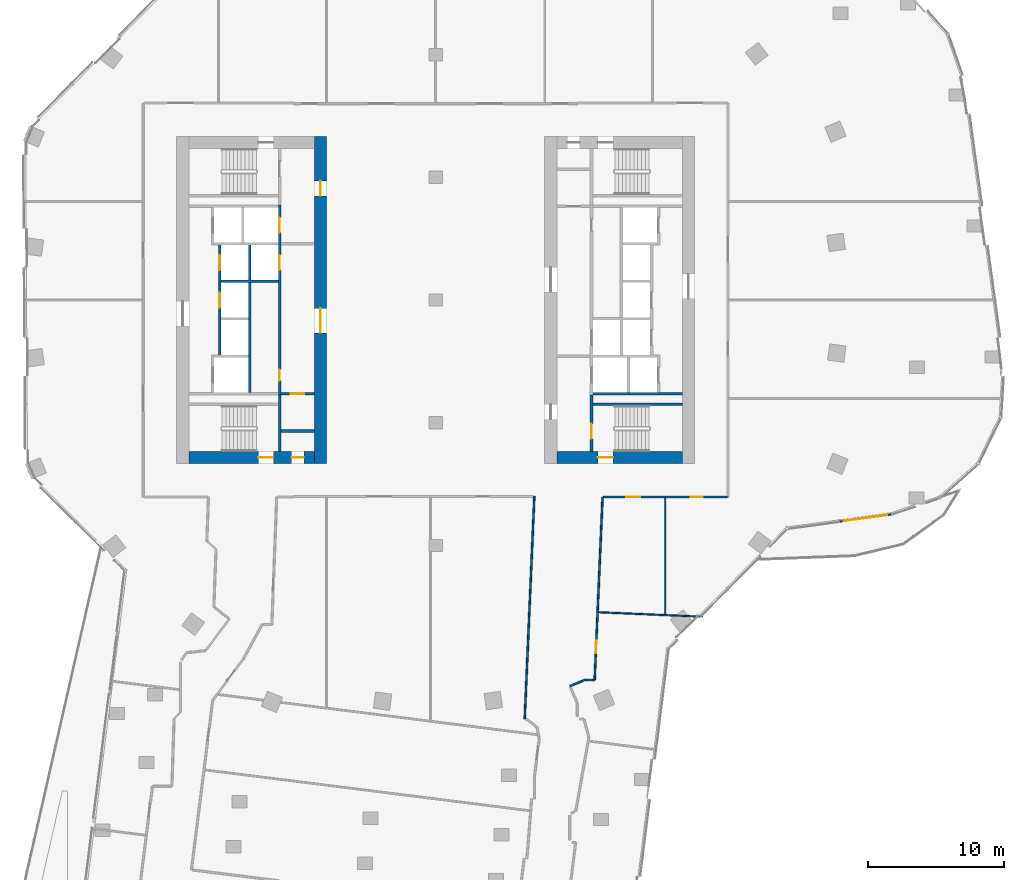
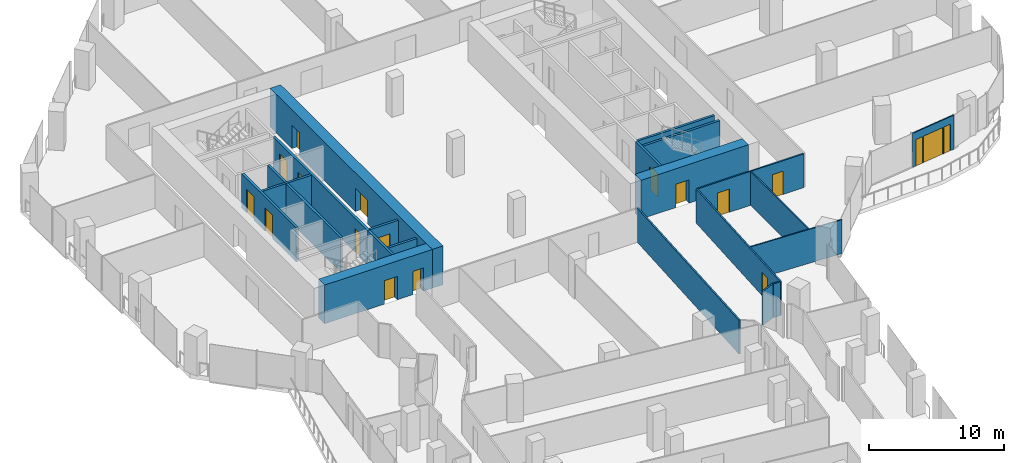
# One storey, part 21 of 29: 22 walls, 16 doors, 2 windows, 18 openings.
"""IFC4 building model written with IfcOpenShell, lengths in metres."""

from ifc_helpers import new_model, si_unit, direction, frame, frame_2d, origin, place, context, subcontext, project, spatial, rectangle, extrude, material, layer, layer_set, type_object, element, fill, save


model = new_model("IFC4")

# Units and contexts
model_context = context("Model", 3, precision=1e-05, world=origin(), true_north=direction((0.0, 1.0)))
body_context = subcontext(model_context, "Body", "Model", "MODEL_VIEW")
ifc_project = project(units=[si_unit("LENGTHUNIT", "METRE"), si_unit("AREAUNIT", "SQUARE_METRE"), si_unit("VOLUMEUNIT", "CUBIC_METRE"), si_unit("PLANEANGLEUNIT", "RADIAN"), si_unit("MASSUNIT", "GRAM", prefix="KILO")], contexts=[model_context])

# Site, building, storey
site_placement = place(None, origin())
site = spatial("IfcSite", under=ifc_project, at=site_placement, CompositionType="ELEMENT")
building_placement = place(site_placement, origin())
building = spatial("IfcBuilding", under=site, at=building_placement, Name="Orlundy Tower", CompositionType="ELEMENT")
storey_placement = place(building_placement, frame((0.0, 0.0, 188.60009765625)))
storey = spatial("IfcBuildingStorey", under=building, at=storey_placement, Name="L49", CompositionType="ELEMENT", Elevation=188.60009765625)

# Wall, openings, doors
ifc_material_1 = material(Name="Concrete C70/85", Category="concrete")
ifc_layer_1 = layer(ifc_material_1, 0.89990234375)
ifc_layer_set_1 = layer_set([ifc_layer_1], Name="CORE WALL 900 C70/85")
wall_type_1 = type_object("IfcWallType", Name="CORE WALL 900 C70/85", PredefinedType="SHEAR", material=ifc_layer_set_1)
wall_1_placement = place(storey_placement, frame((-18.10009765625, -11.550048828125, 0.0), z_axis=(0.0, 0.0, 1.0), x_axis=(1.0, 0.0, 0.0)))
wall_1 = element("IfcWall", 1, at=wall_1_placement, inside=storey, type_object=wall_type_1, Name="Core wall W-S L49", PredefinedType="SHEAR", context=body_context, shape_type="SweptSolid", body=[
    extrude(rectangle(XDim=9.2001953125, YDim=0.89990234375, at=frame_2d((4.60009765625, 0.0))), origin(), (0.0, 0.0, 1.0), 3.5),
])
opening_1_placement = place(wall_1_placement, frame((5.10009765625, 0.0, 0.0)))
opening_1 = element("IfcOpeningElement", 2, at=opening_1_placement, cuts=wall_1, Name="Opening 38012", PredefinedType="OPENING", context=body_context, shape_type="SweptSolid", body=[
    extrude(rectangle(XDim=1.10009765625, YDim=2.10009765625, at=frame_2d((0.550048828125, 1.050048828125))), frame((0.0, 0.4599609375, 0.0), z_axis=(0.0, -1.0, 0.0), x_axis=(1.0, 0.0, 0.0)), (0.0, 0.0, 1.0), 0.919921875),
])
opening_2_placement = place(wall_1_placement, frame((7.530029296875, 0.0, 0.0)))
opening_2 = element("IfcOpeningElement", 3, at=opening_2_placement, cuts=wall_1, Name="Opening 38014", PredefinedType="OPENING", context=body_context, shape_type="SweptSolid", body=[
    extrude(rectangle(XDim=0.89990234375, YDim=2.10009765625, at=frame_2d((0.449951171875, 1.050048828125))), frame((0.0, 0.4599609375, 0.0), z_axis=(0.0, -1.0, 0.0), x_axis=(1.0, 0.0, 0.0)), (0.0, 0.0, 1.0), 0.919921875),
])
ifc_material_2 = material(Name="Timber door set", Category="wood")
door_type_1 = type_object("IfcDoorType", Name="Room Door 900x2100", OperationType="SINGLE_SWING_LEFT", PredefinedType="DOOR", material=ifc_material_2)
door_1_placement = place(opening_2_placement, origin())
door_1 = element("IfcDoor", 4, at=door_1_placement, inside=storey, type_object=door_type_1, Name="Store door 38014", OperationType="SINGLE_SWING_RIGHT", OverallHeight=2.10009765625, OverallWidth=0.89990234375, PredefinedType="DOOR", context=body_context, shape_type="SweptSolid", body=[
    extrude(rectangle(XDim=0.89990234375, YDim=2.10009765625, at=frame_2d((0.449951171875, 1.050048828125))), frame((0.0, 0.02490234375, 0.0), z_axis=(0.0, -1.0, 0.0), x_axis=(1.0, 0.0, 0.0)), (0.0, 0.0, 1.0), 0.050048828125),
])
fill(opening_2, door_1)
ifc_material_3 = material(Name="Steel door set", Category="steel")
door_type_2 = type_object("IfcDoorType", Name="Stair Door 1100x2100", OperationType="SINGLE_SWING_LEFT", PredefinedType="DOOR", material=ifc_material_3)
door_2_placement = place(opening_1_placement, origin())
door_2 = element("IfcDoor", 5, at=door_2_placement, inside=storey, type_object=door_type_2, Name="Stair door 38012", OperationType="SINGLE_SWING_RIGHT", OverallHeight=2.10009765625, OverallWidth=1.10009765625, PredefinedType="DOOR", context=body_context, shape_type="SweptSolid", body=[
    extrude(rectangle(XDim=1.10009765625, YDim=2.10009765625, at=frame_2d((0.550048828125, 1.050048828125))), frame((0.0, 0.02490234375, 0.0), z_axis=(0.0, -1.0, 0.0), x_axis=(1.0, 0.0, 0.0)), (0.0, 0.0, 1.0), 0.050048828125),
])
fill(opening_1, door_2)

wall_2_placement = place(storey_placement, frame((-8.449951171875, -12.0, 0.0), z_axis=(0.0, 0.0, 1.0), x_axis=(0.0, 1.0, 0.0)))
wall_2 = element("IfcWall", 6, at=wall_2_placement, inside=storey, type_object=wall_type_1, Name="Core wall W-E L49", PredefinedType="SHEAR", context=body_context, shape_type="SweptSolid", body=[
    extrude(rectangle(XDim=24.0, YDim=0.89990234375, at=frame_2d((12.0, 0.0))), origin(), (0.0, 0.0, 1.0), 3.5),
])
opening_3_placement = place(wall_2_placement, frame((9.60009765625, 0.0, 0.0)))
opening_3 = element("IfcOpeningElement", 7, at=opening_3_placement, cuts=wall_2, Name="Opening 38008", PredefinedType="OPENING", context=body_context, shape_type="SweptSolid", body=[
    extrude(rectangle(XDim=1.800048828125, YDim=2.10009765625, at=frame_2d((0.89990234375, 1.050048828125))), frame((0.0, 0.4599609375, 0.0), z_axis=(0.0, -1.0, 0.0), x_axis=(1.0, 0.0, 0.0)), (0.0, 0.0, 1.0), 0.919921875),
])
opening_4_placement = place(wall_2_placement, frame((19.64990234375, 0.0, 0.0)))
opening_4 = element("IfcOpeningElement", 8, at=opening_4_placement, cuts=wall_2, Name="Opening 38010", PredefinedType="OPENING", context=body_context, shape_type="SweptSolid", body=[
    extrude(rectangle(XDim=1.10009765625, YDim=2.10009765625, at=frame_2d((0.550048828125, 1.050048828125))), frame((0.0, 0.4599609375, 0.0), z_axis=(0.0, -1.0, 0.0), x_axis=(1.0, 0.0, 0.0)), (0.0, 0.0, 1.0), 0.919921875),
])
ifc_material_4 = material(Name="Steel door set", Category="steel")
door_type_3 = type_object("IfcDoorType", Name="Fire-fighting Lobby Door 1100x2100", OperationType="SINGLE_SWING_LEFT", PredefinedType="DOOR", material=ifc_material_4)
door_3_placement = place(opening_4_placement, origin())
door_3 = element("IfcDoor", 9, at=door_3_placement, inside=storey, type_object=door_type_3, Name="Fire-fighting lobby door 38010", OperationType="SINGLE_SWING_RIGHT", OverallHeight=2.10009765625, OverallWidth=1.10009765625, PredefinedType="DOOR", context=body_context, shape_type="SweptSolid", body=[
    extrude(rectangle(XDim=1.10009765625, YDim=2.10009765625, at=frame_2d((0.550048828125, 1.050048828125))), frame((0.0, 0.02490234375, 0.0), z_axis=(0.0, -1.0, 0.0), x_axis=(1.0, 0.0, 0.0)), (0.0, 0.0, 1.0), 0.050048828125),
])
fill(opening_4, door_3)
ifc_material_5 = material(Name="Timber door set", Category="wood")
door_type_4 = type_object("IfcDoorType", Name="Lobby Door 1800x2100", OperationType="DOUBLE_DOOR_DOUBLE_SWING", PredefinedType="DOOR", material=ifc_material_5)
door_4_placement = place(opening_3_placement, origin())
door_4 = element("IfcDoor", 10, at=door_4_placement, inside=storey, type_object=door_type_4, Name="Lift lobby door 38008", OperationType="SINGLE_SWING_LEFT", OverallHeight=2.10009765625, OverallWidth=1.800048828125, PredefinedType="DOOR", context=body_context, shape_type="SweptSolid", body=[
    extrude(rectangle(XDim=1.800048828125, YDim=2.10009765625, at=frame_2d((0.89990234375, 1.050048828125))), frame((0.0, 0.02490234375, 0.0), z_axis=(0.0, -1.0, 0.0), x_axis=(1.0, 0.0, 0.0)), (0.0, 0.0, 1.0), 0.050048828125),
])
fill(opening_3, door_4)

# Wall, opening, door
wall_3_placement = place(storey_placement, frame((8.89990234375, -11.550048828125, 0.0), z_axis=(0.0, 0.0, 1.0), x_axis=(1.0, 0.0, 0.0)))
wall_3 = element("IfcWall", 11, at=wall_3_placement, inside=storey, type_object=wall_type_1, Name="Core wall E-S L49", PredefinedType="SHEAR", context=body_context, shape_type="SweptSolid", body=[
    extrude(rectangle(XDim=9.2001953125, YDim=0.89990234375, at=frame_2d((4.60009765625, 0.0))), origin(), (0.0, 0.0, 1.0), 3.5),
])
opening_5_placement = place(wall_3_placement, frame((3.0, 0.0, 0.0)))
opening_5 = element("IfcOpeningElement", 12, at=opening_5_placement, cuts=wall_3, Name="Opening 38060", PredefinedType="OPENING", context=body_context, shape_type="SweptSolid", body=[
    extrude(rectangle(XDim=1.10009765625, YDim=2.10009765625, at=frame_2d((0.550048828125, 1.050048828125))), frame((0.0, 0.4599609375, 0.0), z_axis=(0.0, -1.0, 0.0), x_axis=(1.0, 0.0, 0.0)), (0.0, 0.0, 1.0), 0.919921875),
])
door_5_placement = place(opening_5_placement, origin())
door_5 = element("IfcDoor", 13, at=door_5_placement, inside=storey, type_object=door_type_2, Name="Stair door 38060", OperationType="SINGLE_SWING_LEFT", OverallHeight=2.10009765625, OverallWidth=1.10009765625, PredefinedType="DOOR", context=body_context, shape_type="SweptSolid", body=[
    extrude(rectangle(XDim=1.10009765625, YDim=2.10009765625, at=frame_2d((0.550048828125, 1.050048828125))), frame((0.0, 0.02490234375, 0.0), z_axis=(0.0, -1.0, 0.0), x_axis=(1.0, 0.0, 0.0)), (0.0, 0.0, 1.0), 0.050048828125),
])
fill(opening_5, door_5)

# Walls
ifc_material_6 = material(Name="Gypsum board partition")
ifc_layer_2 = layer(ifc_material_6, 0.10009765625)
ifc_layer_set_2 = layer_set([ifc_layer_2], Name="Floor partition 100")
wall_type_2 = type_object("IfcWallType", Name="Floor partition 100", PredefinedType="PARTITIONING", material=ifc_layer_set_2)
wall_4_placement = place(storey_placement, frame((11.94189453125, -22.89501953125, 0.0), z_axis=(0.0, 0.0, 1.0), x_axis=(0.999060795111, -0.043330447407, 0.0)))
element("IfcWall", 14, at=wall_4_placement, inside=storey, type_object=wall_type_2, Name="wall-int-L49-019", PredefinedType="PARTITIONING", context=body_context, shape_type="SweptSolid", body=[
    extrude(rectangle(XDim=7.64013671875, YDim=0.10009765625, at=frame_2d((3.820068359375, 0.0))), origin(), (0.0, 0.0, 1.0), 3.059814453125),
])
wall_5_placement = place(storey_placement, frame((16.846923828125, -23.056884765625, 0.0), z_axis=(0.0, 0.0, 1.0), x_axis=(0.0, 1.0, 0.0)))
element("IfcWall", 15, at=wall_5_placement, inside=storey, type_object=wall_type_2, Name="wall-int-L49-072", PredefinedType="PARTITIONING", context=body_context, shape_type="SweptSolid", body=[
    extrude(rectangle(XDim=8.54296875, YDim=0.10009765625, at=frame_2d((4.271484375, 0.0))), origin(), (0.0, 0.0, 1.0), 3.059814453125),
])
ifc_material_7 = material(Name="Gypsum board partition, double layer")
ifc_layer_3 = layer(ifc_material_7, 0.125)
ifc_layer_set_3 = layer_set([ifc_layer_3], Name="Floor partition 125")
wall_type_3 = type_object("IfcWallType", Name="Floor partition 125", PredefinedType="PARTITIONING", material=ifc_layer_set_3)
wall_6_placement = place(storey_placement, frame((11.02587890625, -27.85400390625, 0.0), z_axis=(0.0, 0.0, 1.0), x_axis=(0.999064142369, -0.04325320141, 0.0)))
element("IfcWall", 16, at=wall_6_placement, inside=storey, type_object=wall_type_3, Name="wall-int-L49-018", PredefinedType="PARTITIONING", context=body_context, shape_type="SweptSolid", body=[
    extrude(rectangle(XDim=0.57568359375, YDim=0.125, at=frame_2d((0.287841796875, 0.0))), origin(), (0.0, 0.0, 1.0), 3.059814453125),
])

# Wall, openings, doors
wall_7_placement = place(storey_placement, frame((21.386962890625, -14.450927734375, 0.0), z_axis=(0.0, 0.0, 1.0), x_axis=(-1.0, 0.0, 0.0)))
wall_7 = element("IfcWall", 17, at=wall_7_placement, inside=storey, type_object=wall_type_3, Name="wall-int-L49-032", PredefinedType="PARTITIONING", context=body_context, shape_type="SweptSolid", body=[
    extrude(rectangle(XDim=9.080078125, YDim=0.125, at=frame_2d((4.5400390625, 0.0))), origin(), (0.0, 0.0, 1.0), 3.059814453125),
])
opening_6_placement = place(wall_7_placement, frame((6.390380859375, 0.0, 0.0)))
opening_6 = element("IfcOpeningElement", 18, at=opening_6_placement, cuts=wall_7, Name="Opening 38116", PredefinedType="OPENING", context=body_context, shape_type="SweptSolid", body=[
    extrude(rectangle(XDim=1.0, YDim=2.10009765625, at=frame_2d((0.5, 1.050048828125))), frame((0.0, 0.072509765625, 0.0), z_axis=(0.0, -1.0, 0.0), x_axis=(1.0, 0.0, 0.0)), (0.0, 0.0, 1.0), 0.14501953125),
])
opening_7_placement = place(wall_7_placement, frame((1.78759765625, 0.0, 0.0)))
opening_7 = element("IfcOpeningElement", 19, at=opening_7_placement, cuts=wall_7, Name="Opening 38117", PredefinedType="OPENING", context=body_context, shape_type="SweptSolid", body=[
    extrude(rectangle(XDim=0.89990234375, YDim=2.10009765625, at=frame_2d((0.449951171875, 1.050048828125))), frame((0.0, 0.072509765625, 0.0), z_axis=(0.0, -1.0, 0.0), x_axis=(1.0, 0.0, 0.0)), (0.0, 0.0, 1.0), 0.14501953125),
])
ifc_material_8 = material(Name="Timber door leaf", Category="wood")
door_type_5 = type_object("IfcDoorType", Name="Floor door single 900 FD30S", OperationType="NOTDEFINED", PredefinedType="DOOR", material=ifc_material_8)
door_6_placement = place(opening_7_placement, origin())
door_6 = element("IfcDoor", 20, at=door_6_placement, inside=storey, type_object=door_type_5, Name="Door 38117", OperationType="SINGLE_SWING_LEFT", OverallHeight=2.10009765625, OverallWidth=0.89990234375, PredefinedType="DOOR", context=body_context, shape_type="SweptSolid", body=[
    extrude(rectangle(XDim=0.89990234375, YDim=2.10009765625, at=frame_2d((0.449951171875, 1.050048828125))), frame((0.0, 0.02490234375, 0.0), z_axis=(0.0, -1.0, 0.0), x_axis=(1.0, 0.0, 0.0)), (0.0, 0.0, 1.0), 0.050048828125),
])
fill(opening_7, door_6)
ifc_material_9 = material(Name="Timber door leaf", Category="wood")
door_type_6 = type_object("IfcDoorType", Name="Floor door wide 1000 FD30S", OperationType="NOTDEFINED", PredefinedType="DOOR", material=ifc_material_9)
door_7_placement = place(opening_6_placement, origin())
door_7 = element("IfcDoor", 21, at=door_7_placement, inside=storey, type_object=door_type_6, Name="Door 38116", OperationType="SINGLE_SWING_RIGHT", OverallHeight=2.10009765625, OverallWidth=1.0, PredefinedType="DOOR", context=body_context, shape_type="SweptSolid", body=[
    extrude(rectangle(XDim=1.0, YDim=2.10009765625, at=frame_2d((0.5, 1.050048828125))), frame((0.0, 0.02490234375, 0.0), z_axis=(0.0, -1.0, 0.0), x_axis=(1.0, 0.0, 0.0)), (0.0, 0.0, 1.0), 0.050048828125),
])
fill(opening_6, door_7)

# Wall
wall_8_placement = place(storey_placement, frame((9.861083984375, -28.31494140625, 0.0), z_axis=(0.0, 0.0, 1.0), x_axis=(0.921804272002, 0.387655625676, 0.0)))
element("IfcWall", 22, at=wall_8_placement, inside=storey, type_object=wall_type_3, Name="wall-int-L49-042", PredefinedType="PARTITIONING", context=body_context, shape_type="SweptSolid", body=[
    extrude(rectangle(XDim=1.196533203125, YDim=0.125, at=frame_2d((0.59814453125, 0.0))), origin(), (0.0, 0.0, 1.0), 3.059814453125),
])

# Wall, opening, door
wall_9_placement = place(storey_placement, frame((12.2451171875, -14.452880859375, 0.0), z_axis=(0.0, 0.0, 1.0), x_axis=(-0.043230700279, -0.999065116273, 0.0)))
wall_9 = element("IfcWall", 23, at=wall_9_placement, inside=storey, type_object=wall_type_3, Name="wall-int-L49-066", PredefinedType="PARTITIONING", context=body_context, shape_type="SweptSolid", body=[
    extrude(rectangle(XDim=13.440673828125, YDim=0.125, at=frame_2d((6.72021484375, 0.0))), origin(), (0.0, 0.0, 1.0), 3.059814453125),
])
opening_8_placement = place(wall_9_placement, frame((10.547119140625, 0.0, 0.0)))
opening_8 = element("IfcOpeningElement", 24, at=opening_8_placement, cuts=wall_9, Name="Opening 38115", PredefinedType="OPENING", context=body_context, shape_type="SweptSolid", body=[
    extrude(rectangle(XDim=0.89990234375, YDim=2.10009765625, at=frame_2d((0.449951171875, 1.050048828125))), frame((0.0, 0.072509765625, 0.0), z_axis=(0.0, -1.0, 0.0), x_axis=(1.0, 0.0, 0.0)), (0.0, 0.0, 1.0), 0.14501953125),
])
door_8_placement = place(opening_8_placement, origin())
door_8 = element("IfcDoor", 25, at=door_8_placement, inside=storey, type_object=door_type_5, Name="Door 38115", OperationType="SINGLE_SWING_RIGHT", OverallHeight=2.10009765625, OverallWidth=0.89990234375, PredefinedType="DOOR", context=body_context, shape_type="SweptSolid", body=[
    extrude(rectangle(XDim=0.89990234375, YDim=2.10009765625, at=frame_2d((0.449951171875, 1.050048828125))), frame((0.0, 0.02490234375, 0.0), z_axis=(0.0, -1.0, 0.0), x_axis=(1.0, 0.0, 0.0)), (0.0, 0.0, 1.0), 0.050048828125),
])
fill(opening_8, door_8)

# Wall
wall_10_placement = place(storey_placement, frame((6.534912109375, -30.7109375, 0.0), z_axis=(0.0, 0.0, 1.0), x_axis=(0.043365841226, 0.999059259411, 0.0)))
element("IfcWall", 26, at=wall_10_placement, inside=storey, type_object=wall_type_3, Name="wall-int-L49-067", PredefinedType="PARTITIONING", context=body_context, shape_type="SweptSolid", body=[
    extrude(rectangle(XDim=16.326416015625, YDim=0.125, at=frame_2d((8.1630859375, 0.0))), origin(), (0.0, 0.0, 1.0), 3.059814453125),
])

# Wall, openings, windows, door
ifc_material_10 = material(Name="Aluminium bronze and tinted glass", Category="aluminium")
ifc_layer_4 = layer(ifc_material_10, 0.10009765625)
ifc_layer_set_4 = layer_set([ifc_layer_4], Name="Glazed door screen")
wall_type_4 = type_object("IfcWallType", Name="Glazed door screen", PredefinedType="STANDARD", material=ifc_layer_set_4)
wall_11_placement = place(storey_placement, frame((33.44580078125, -15.718017578125, 0.0), z_axis=(0.0, 0.0, 1.0), x_axis=(-0.990667735634, -0.136299074001, 0.0)))
wall_11 = element("IfcWall", 27, at=wall_11_placement, inside=storey, type_object=wall_type_4, Name="Glazed door screen", PredefinedType="STANDARD", context=body_context, shape_type="SweptSolid", body=[
    extrude(rectangle(XDim=3.858154296875, YDim=0.10009765625, at=frame_2d((1.92919921875, 0.0))), origin(), (0.0, 0.0, 1.0), 3.079833984375),
])
opening_9_placement = place(wall_11_placement, frame((1.037353515625, 0.0, 0.0)))
opening_9 = element("IfcOpeningElement", 28, at=opening_9_placement, cuts=wall_11, Name="Opening 38941", PredefinedType="OPENING", context=body_context, shape_type="SweptSolid", body=[
    extrude(rectangle(XDim=1.800048828125, YDim=2.39990234375, at=frame_2d((0.89990234375, 1.199951171875))), frame((0.0, 0.06005859375, 0.0), z_axis=(0.0, -1.0, 0.0), x_axis=(1.0, 0.0, 0.0)), (0.0, 0.0, 1.0), 0.1201171875),
])
opening_10_placement = place(wall_11_placement, frame((0.33740234375, 0.0, 0.0)))
opening_10 = element("IfcOpeningElement", 29, at=opening_10_placement, cuts=wall_11, Name="Opening W01", PredefinedType="OPENING", context=body_context, shape_type="SweptSolid", body=[
    extrude(rectangle(XDim=0.60009765625, YDim=2.39990234375, at=frame_2d((0.300048828125, 1.199951171875))), frame((0.0, 0.06005859375, 0.0), z_axis=(0.0, -1.0, 0.0), x_axis=(1.0, 0.0, 0.0)), (0.0, 0.0, 1.0), 0.1201171875),
])
opening_11_placement = place(wall_11_placement, frame((2.937255859375, 0.0, 0.0)))
opening_11 = element("IfcOpeningElement", 30, at=opening_11_placement, cuts=wall_11, Name="Opening W01", PredefinedType="OPENING", context=body_context, shape_type="SweptSolid", body=[
    extrude(rectangle(XDim=0.60009765625, YDim=2.39990234375, at=frame_2d((0.300048828125, 1.199951171875))), frame((0.0, 0.06005859375, 0.0), z_axis=(0.0, -1.0, 0.0), x_axis=(1.0, 0.0, 0.0)), (0.0, 0.0, 1.0), 0.1201171875),
])
ifc_material_11 = material(Name="Tinted glass in bronze aluminium frame", Category="aluminium")
window_type = type_object("IfcWindowType", Name="SL1 sidelight 600x2400", PartitioningType="SINGLE_PANEL", PredefinedType="WINDOW", material=ifc_material_11)
window_1_placement = place(opening_10_placement, origin())
window_1 = element("IfcWindow", 31, at=window_1_placement, inside=storey, type_object=window_type, Name="Window W01 L49", OverallHeight=2.39990234375, OverallWidth=0.60009765625, PartitioningType="SINGLE_PANEL", PredefinedType="WINDOW", context=body_context, shape_type="SweptSolid", body=[
    extrude(rectangle(XDim=0.60009765625, YDim=2.39990234375, at=frame_2d((0.300048828125, 1.199951171875))), frame((0.0, 0.030029296875, 0.0), z_axis=(0.0, -1.0, 0.0), x_axis=(1.0, 0.0, 0.0)), (0.0, 0.0, 1.0), 0.06005859375),
])
fill(opening_10, window_1)
window_2_placement = place(opening_11_placement, origin())
window_2 = element("IfcWindow", 32, at=window_2_placement, inside=storey, type_object=window_type, Name="Window W01 L49", OverallHeight=2.39990234375, OverallWidth=0.60009765625, PartitioningType="SINGLE_PANEL", PredefinedType="WINDOW", context=body_context, shape_type="SweptSolid", body=[
    extrude(rectangle(XDim=0.60009765625, YDim=2.39990234375, at=frame_2d((0.300048828125, 1.199951171875))), frame((0.0, 0.030029296875, 0.0), z_axis=(0.0, -1.0, 0.0), x_axis=(1.0, 0.0, 0.0)), (0.0, 0.0, 1.0), 0.06005859375),
])
fill(opening_11, window_2)
ifc_material_12 = material(Name="Aluminium bronze and tinted glass", Category="aluminium")
door_type_7 = type_object("IfcDoorType", Name="TD1 terrace door 1800x2400", OperationType="NOTDEFINED", PredefinedType="DOOR", material=ifc_material_12)
door_9_placement = place(opening_9_placement, origin())
door_9 = element("IfcDoor", 33, at=door_9_placement, inside=storey, type_object=door_type_7, Name="Door 38941", OperationType="DOUBLE_DOOR_SINGLE_SWING", OverallHeight=2.39990234375, OverallWidth=1.800048828125, PredefinedType="DOOR", context=body_context, shape_type="SweptSolid", body=[
    extrude(rectangle(XDim=1.800048828125, YDim=2.39990234375, at=frame_2d((0.89990234375, 1.199951171875))), frame((0.0, 0.02490234375, 0.0), z_axis=(0.0, -1.0, 0.0), x_axis=(1.0, 0.0, 0.0)), (0.0, 0.0, 1.0), 0.050048828125),
])
fill(opening_9, door_9)

# Wall
ifc_material_13 = material(Name="Concrete C40/50", Category="concrete")
ifc_layer_5 = layer(ifc_material_13, 0.199951171875)
ifc_layer_set_5 = layer_set([ifc_layer_5], Name="Load-bearing Shaft Wall 200")
wall_type_5 = type_object("IfcWallType", Name="Load-bearing Shaft Wall 200", PredefinedType="SOLIDWALL", material=ifc_layer_set_5)
wall_12_placement = place(storey_placement, frame((-11.43994140625, -11.10009765625, 0.0), z_axis=(0.0, 0.0, 1.0), x_axis=(0.0, 1.0, 0.0)))
element("IfcWall", 34, at=wall_12_placement, inside=storey, type_object=wall_type_5, Name="Shaft wall W38-stair-end-s", PredefinedType="SOLIDWALL", context=body_context, shape_type="SweptSolid", body=[
    extrude(rectangle(XDim=4.125, YDim=0.199951171875, at=frame_2d((2.0625, 0.0))), origin(), (0.0, 0.0, 1.0), 3.079833984375),
])

# Wall, opening, door
wall_13_placement = place(storey_placement, frame((11.43994140625, -6.97509765625, 0.0), z_axis=(0.0, 0.0, 1.0), x_axis=(0.0, -1.0, 0.0)))
wall_13 = element("IfcWall", 35, at=wall_13_placement, inside=storey, type_object=wall_type_5, Name="Shaft wall E38-stair-end-n", PredefinedType="SOLIDWALL", context=body_context, shape_type="SweptSolid", body=[
    extrude(rectangle(XDim=4.125, YDim=0.199951171875, at=frame_2d((2.0625, 0.0))), origin(), (0.0, 0.0, 1.0), 3.079833984375),
])
opening_12_placement = place(wall_13_placement, frame((2.10009765625, 0.0, 0.0)))
opening_12 = element("IfcOpeningElement", 36, at=opening_12_placement, cuts=wall_13, Name="Opening 38062", PredefinedType="OPENING", context=body_context, shape_type="SweptSolid", body=[
    extrude(rectangle(XDim=1.10009765625, YDim=2.10009765625, at=frame_2d((0.550048828125, 1.050048828125))), frame((0.0, 0.110107421875, 0.0), z_axis=(0.0, -1.0, 0.0), x_axis=(1.0, 0.0, 0.0)), (0.0, 0.0, 1.0), 0.22021484375),
])
door_10_placement = place(opening_12_placement, origin())
door_10 = element("IfcDoor", 37, at=door_10_placement, inside=storey, type_object=door_type_3, Name="Fire-fighting lobby to stair door 38062", OperationType="SINGLE_SWING_RIGHT", OverallHeight=2.10009765625, OverallWidth=1.10009765625, PredefinedType="DOOR", context=body_context, shape_type="SweptSolid", body=[
    extrude(rectangle(XDim=1.10009765625, YDim=2.10009765625, at=frame_2d((0.550048828125, 1.050048828125))), frame((0.0, 0.02490234375, 0.0), z_axis=(0.0, -1.0, 0.0), x_axis=(1.0, 0.0, 0.0)), (0.0, 0.0, 1.0), 0.050048828125),
])
fill(opening_12, door_10)

# Wall
wall_14_placement = place(storey_placement, frame((11.5400390625, -7.64990234375, 0.0), z_axis=(0.0, 0.0, 1.0), x_axis=(1.0, 0.0, 0.0)))
element("IfcWall", 38, at=wall_14_placement, inside=storey, type_object=wall_type_5, Name="Shaft wall E38-stair-side-n", PredefinedType="SOLIDWALL", context=body_context, shape_type="SweptSolid", body=[
    extrude(rectangle(XDim=6.56005859375, YDim=0.199951171875, at=frame_2d((3.280029296875, 0.0))), origin(), (0.0, 0.0, 1.0), 3.079833984375),
])

# Wall, opening, door
ifc_material_14 = material(Name="Gypsum board partition on steel studs", Category="steel")
ifc_layer_6 = layer(ifc_material_14, 0.199951171875)
ifc_layer_set_6 = layer_set([ifc_layer_6], Name="Partition 200")
wall_type_6 = type_object("IfcWallType", Name="Partition 200", PredefinedType="PARTITIONING", material=ifc_layer_set_6)
wall_15_placement = place(storey_placement, frame((-8.89990234375, -6.875, 0.0), z_axis=(0.0, 0.0, 1.0), x_axis=(-1.0, 0.0, 0.0)))
wall_15 = element("IfcWall", 39, at=wall_15_placement, inside=storey, type_object=wall_type_6, Name="Partition wall W38-end-s", PredefinedType="PARTITIONING", context=body_context, shape_type="SweptSolid", body=[
    extrude(rectangle(XDim=2.440185546875, YDim=0.199951171875, at=frame_2d((1.22021484375, 0.0))), origin(), (0.0, 0.0, 1.0), 3.079833984375),
])
opening_13_placement = place(wall_15_placement, frame((0.719970703125, 0.0, 0.0)))
opening_13 = element("IfcOpeningElement", 40, at=opening_13_placement, cuts=wall_15, Name="Opening 38015", PredefinedType="OPENING", context=body_context, shape_type="SweptSolid", body=[
    extrude(rectangle(XDim=1.0, YDim=2.10009765625, at=frame_2d((0.5, 1.050048828125))), frame((0.0, 0.110107421875, 0.0), z_axis=(0.0, -1.0, 0.0), x_axis=(1.0, 0.0, 0.0)), (0.0, 0.0, 1.0), 0.22021484375),
])
ifc_material_15 = material(Name="Timber door set", Category="wood")
door_type_8 = type_object("IfcDoorType", Name="Accessible Door 1000x2100", OperationType="SINGLE_SWING_LEFT", PredefinedType="DOOR", material=ifc_material_15)
door_11_placement = place(opening_13_placement, origin())
door_11 = element("IfcDoor", 41, at=door_11_placement, inside=storey, type_object=door_type_8, Name="Accessible WC door 38015", OperationType="SINGLE_SWING_RIGHT", OverallHeight=2.10009765625, OverallWidth=1.0, PredefinedType="DOOR", context=body_context, shape_type="SweptSolid", body=[
    extrude(rectangle(XDim=1.0, YDim=2.10009765625, at=frame_2d((0.5, 1.050048828125))), frame((0.0, 0.02490234375, 0.0), z_axis=(0.0, -1.0, 0.0), x_axis=(1.0, 0.0, 0.0)), (0.0, 0.0, 1.0), 0.050048828125),
])
fill(opening_13, door_11)

# Walls
wall_16_placement = place(storey_placement, frame((-8.89990234375, -9.60009765625, 0.0), z_axis=(0.0, 0.0, 1.0), x_axis=(-1.0, 0.0, 0.0)))
element("IfcWall", 42, at=wall_16_placement, inside=storey, type_object=wall_type_6, Name="Partition wall W38-room-s0", PredefinedType="PARTITIONING", context=body_context, shape_type="SweptSolid", body=[
    extrude(rectangle(XDim=2.440185546875, YDim=0.199951171875, at=frame_2d((1.22021484375, 0.0))), origin(), (0.0, 0.0, 1.0), 3.079833984375),
])
ifc_material_16 = material(Name="Fire-rated blockwork shaft wall", Category="masonry")
ifc_layer_7 = layer(ifc_material_16, 0.199951171875)
ifc_layer_set_7 = layer_set([ifc_layer_7], Name="Shaft Wall 200")
wall_type_7 = type_object("IfcWallType", Name="Shaft Wall 200", PredefinedType="SOLIDWALL", material=ifc_layer_set_7)
wall_17_placement = place(storey_placement, frame((-11.5400390625, 1.375, 0.0), z_axis=(0.0, 0.0, 1.0), x_axis=(-1.0, 0.0, 0.0)))
element("IfcWall", 43, at=wall_17_placement, inside=storey, type_object=wall_type_7, Name="Shaft wall W38-cross+1.375", PredefinedType="SOLIDWALL", context=body_context, shape_type="SweptSolid", body=[
    extrude(rectangle(XDim=4.199951171875, YDim=0.199951171875, at=frame_2d((2.10009765625, 0.0))), origin(), (0.0, 0.0, 1.0), 3.079833984375),
])

# Wall, openings, doors
wall_18_placement = place(storey_placement, frame((-11.43994140625, -6.97509765625, 0.0), z_axis=(0.0, 0.0, 1.0), x_axis=(0.0, 1.0, 0.0)))
wall_18 = element("IfcWall", 44, at=wall_18_placement, inside=storey, type_object=wall_type_7, Name="Shaft wall W38-front-h", PredefinedType="SOLIDWALL", context=body_context, shape_type="SweptSolid", body=[
    extrude(rectangle(XDim=13.9501953125, YDim=0.199951171875, at=frame_2d((6.97509765625, 0.0))), origin(), (0.0, 0.0, 1.0), 3.079833984375),
])
opening_14_placement = place(wall_18_placement, frame((9.175048828125, 0.0, 0.0)))
opening_14 = element("IfcOpeningElement", 45, at=opening_14_placement, cuts=wall_18, Name="Opening 38003", PredefinedType="OPENING", context=body_context, shape_type="SweptSolid", body=[
    extrude(rectangle(XDim=1.10009765625, YDim=2.10009765625, at=frame_2d((0.550048828125, 1.050048828125))), frame((0.0, 0.110107421875, 0.0), z_axis=(0.0, -1.0, 0.0), x_axis=(1.0, 0.0, 0.0)), (0.0, 0.0, 1.0), 0.22021484375),
])
opening_15_placement = place(wall_18_placement, frame((11.925048828125, 0.0, 0.0)))
opening_15 = element("IfcOpeningElement", 46, at=opening_15_placement, cuts=wall_18, Name="Opening 38005", PredefinedType="OPENING", context=body_context, shape_type="SweptSolid", body=[
    extrude(rectangle(XDim=1.10009765625, YDim=2.10009765625, at=frame_2d((0.550048828125, 1.050048828125))), frame((0.0, 0.110107421875, 0.0), z_axis=(0.0, -1.0, 0.0), x_axis=(1.0, 0.0, 0.0)), (0.0, 0.0, 1.0), 0.22021484375),
])
opening_16_placement = place(wall_18_placement, frame((1.074951171875, 0.0, 0.0)))
opening_16 = element("IfcOpeningElement", 47, at=opening_16_placement, cuts=wall_18, Name="Opening 38007", PredefinedType="OPENING", context=body_context, shape_type="SweptSolid", body=[
    extrude(rectangle(XDim=0.800048828125, YDim=2.10009765625, at=frame_2d((0.39990234375, 1.050048828125))), frame((0.0, 0.110107421875, 0.0), z_axis=(0.0, -1.0, 0.0), x_axis=(1.0, 0.0, 0.0)), (0.0, 0.0, 1.0), 0.22021484375),
])
ifc_material_17 = material(Name="Steel door set", Category="steel")
door_type_9 = type_object("IfcDoorType", Name="Landing Door 1100x2100", OperationType="DOUBLE_DOOR_SLIDING", PredefinedType="DOOR", material=ifc_material_17)
door_12_placement = place(opening_14_placement, origin())
door_12 = element("IfcDoor", 48, at=door_12_placement, inside=storey, type_object=door_type_9, Name="Lift landing door LP-12 38003", OperationType="DOUBLE_DOOR_SLIDING", OverallHeight=2.10009765625, OverallWidth=1.10009765625, PredefinedType="DOOR", context=body_context, shape_type="SweptSolid", body=[
    extrude(rectangle(XDim=1.10009765625, YDim=2.10009765625, at=frame_2d((0.550048828125, 1.050048828125))), frame((0.0, 0.02490234375, 0.0), z_axis=(0.0, -1.0, 0.0), x_axis=(1.0, 0.0, 0.0)), (0.0, 0.0, 1.0), 0.050048828125),
])
fill(opening_14, door_12)
door_13_placement = place(opening_15_placement, origin())
door_13 = element("IfcDoor", 49, at=door_13_placement, inside=storey, type_object=door_type_9, Name="Lift landing door FL1 38005", OperationType="DOUBLE_DOOR_SLIDING", OverallHeight=2.10009765625, OverallWidth=1.10009765625, PredefinedType="DOOR", context=body_context, shape_type="SweptSolid", body=[
    extrude(rectangle(XDim=1.10009765625, YDim=2.10009765625, at=frame_2d((0.550048828125, 1.050048828125))), frame((0.0, 0.02490234375, 0.0), z_axis=(0.0, -1.0, 0.0), x_axis=(1.0, 0.0, 0.0)), (0.0, 0.0, 1.0), 0.050048828125),
])
fill(opening_15, door_13)
ifc_material_18 = material(Name="Timber door set", Category="wood")
door_type_10 = type_object("IfcDoorType", Name="Riser Door 800x2100", OperationType="SINGLE_SWING_LEFT", PredefinedType="DOOR", material=ifc_material_18)
door_14_placement = place(opening_16_placement, origin())
door_14 = element("IfcDoor", 50, at=door_14_placement, inside=storey, type_object=door_type_10, Name="Telecom Room door 38007", OperationType="SINGLE_SWING_LEFT", OverallHeight=2.10009765625, OverallWidth=0.800048828125, PredefinedType="DOOR", context=body_context, shape_type="SweptSolid", body=[
    extrude(rectangle(XDim=0.800048828125, YDim=2.10009765625, at=frame_2d((0.39990234375, 1.050048828125))), frame((0.0, 0.02490234375, 0.0), z_axis=(0.0, -1.0, 0.0), x_axis=(1.0, 0.0, 0.0)), (0.0, 0.0, 1.0), 0.050048828125),
])
fill(opening_16, door_14)

# Walls
wall_19_placement = place(storey_placement, frame((-13.639892578125, -6.77490234375, 0.0), z_axis=(0.0, 0.0, 1.0), x_axis=(0.0, 1.0, 0.0)))
element("IfcWall", 51, at=wall_19_placement, inside=storey, type_object=wall_type_7, Name="Shaft wall W38-mid-a", PredefinedType="SOLIDWALL", context=body_context, shape_type="SweptSolid", body=[
    extrude(rectangle(XDim=8.0498046875, YDim=0.199951171875, at=frame_2d((4.02490234375, 0.0))), origin(), (0.0, 0.0, 1.0), 3.079833984375),
])
wall_20_placement = place(storey_placement, frame((-13.639892578125, 1.47509765625, 0.0), z_axis=(0.0, 0.0, 1.0), x_axis=(0.0, 1.0, 0.0)))
element("IfcWall", 52, at=wall_20_placement, inside=storey, type_object=wall_type_7, Name="Shaft wall W38-mid-a.1", PredefinedType="SOLIDWALL", context=body_context, shape_type="SweptSolid", body=[
    extrude(rectangle(XDim=2.5498046875, YDim=0.199951171875, at=frame_2d((1.27490234375, 0.0))), origin(), (0.0, 0.0, 1.0), 3.079833984375),
])

# Wall, openings, doors
wall_21_placement = place(storey_placement, frame((-15.840087890625, -4.02490234375, 0.0), z_axis=(0.0, 0.0, 1.0), x_axis=(0.0, 1.0, 0.0)))
wall_21 = element("IfcWall", 53, at=wall_21_placement, inside=storey, type_object=wall_type_7, Name="Shaft wall W38-front-o-b", PredefinedType="SOLIDWALL", context=body_context, shape_type="SweptSolid", body=[
    extrude(rectangle(XDim=8.0498046875, YDim=0.199951171875, at=frame_2d((4.02490234375, 0.0))), origin(), (0.0, 0.0, 1.0), 3.079833984375),
])
opening_17_placement = place(wall_21_placement, frame((3.47509765625, 0.0, 0.0)))
opening_17 = element("IfcOpeningElement", 54, at=opening_17_placement, cuts=wall_21, Name="Opening 38002", PredefinedType="OPENING", context=body_context, shape_type="SweptSolid", body=[
    extrude(rectangle(XDim=1.10009765625, YDim=2.10009765625, at=frame_2d((0.550048828125, 1.050048828125))), frame((0.0, 0.110107421875, 0.0), z_axis=(0.0, -1.0, 0.0), x_axis=(1.0, 0.0, 0.0)), (0.0, 0.0, 1.0), 0.22021484375),
])
opening_18_placement = place(wall_21_placement, frame((6.22509765625, 0.0, 0.0)))
opening_18 = element("IfcOpeningElement", 55, at=opening_18_placement, cuts=wall_21, Name="Opening 38004", PredefinedType="OPENING", context=body_context, shape_type="SweptSolid", body=[
    extrude(rectangle(XDim=1.10009765625, YDim=2.10009765625, at=frame_2d((0.550048828125, 1.050048828125))), frame((0.0, 0.110107421875, 0.0), z_axis=(0.0, -1.0, 0.0), x_axis=(1.0, 0.0, 0.0)), (0.0, 0.0, 1.0), 0.22021484375),
])
door_15_placement = place(opening_17_placement, origin())
door_15 = element("IfcDoor", 56, at=door_15_placement, inside=storey, type_object=door_type_9, Name="Lift landing door LP-11 38002", OperationType="DOUBLE_DOOR_SLIDING", OverallHeight=2.10009765625, OverallWidth=1.10009765625, PredefinedType="DOOR", context=body_context, shape_type="SweptSolid", body=[
    extrude(rectangle(XDim=1.10009765625, YDim=2.10009765625, at=frame_2d((0.550048828125, 1.050048828125))), frame((0.0, 0.02490234375, 0.0), z_axis=(0.0, -1.0, 0.0), x_axis=(1.0, 0.0, 0.0)), (0.0, 0.0, 1.0), 0.050048828125),
])
fill(opening_17, door_15)
door_16_placement = place(opening_18_placement, origin())
door_16 = element("IfcDoor", 57, at=door_16_placement, inside=storey, type_object=door_type_9, Name="Lift landing door LP-13 38004", OperationType="DOUBLE_DOOR_SLIDING", OverallHeight=2.10009765625, OverallWidth=1.10009765625, PredefinedType="DOOR", context=body_context, shape_type="SweptSolid", body=[
    extrude(rectangle(XDim=1.10009765625, YDim=2.10009765625, at=frame_2d((0.550048828125, 1.050048828125))), frame((0.0, 0.02490234375, 0.0), z_axis=(0.0, -1.0, 0.0), x_axis=(1.0, 0.0, 0.0)), (0.0, 0.0, 1.0), 0.050048828125),
])
fill(opening_18, door_16)

# Wall
wall_22_placement = place(storey_placement, frame((11.5400390625, -6.875, 0.0), z_axis=(0.0, 0.0, 1.0), x_axis=(1.0, 0.0, 0.0)))
element("IfcWall", 58, at=wall_22_placement, inside=storey, type_object=wall_type_7, Name="Shaft wall E38-zone-n", PredefinedType="SOLIDWALL", context=body_context, shape_type="SweptSolid", body=[
    extrude(rectangle(XDim=6.56005859375, YDim=0.199951171875, at=frame_2d((3.280029296875, 0.0))), origin(), (0.0, 0.0, 1.0), 3.079833984375),
])

save(model, "model.ifc")
